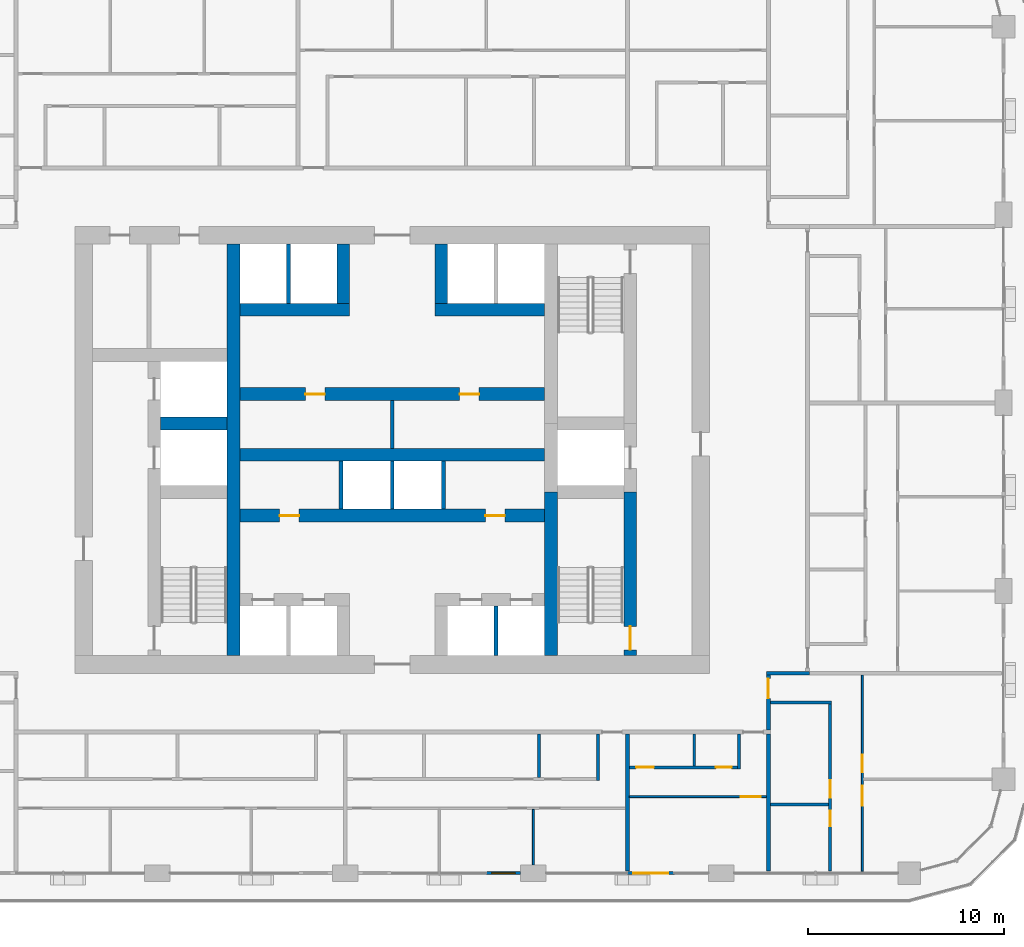
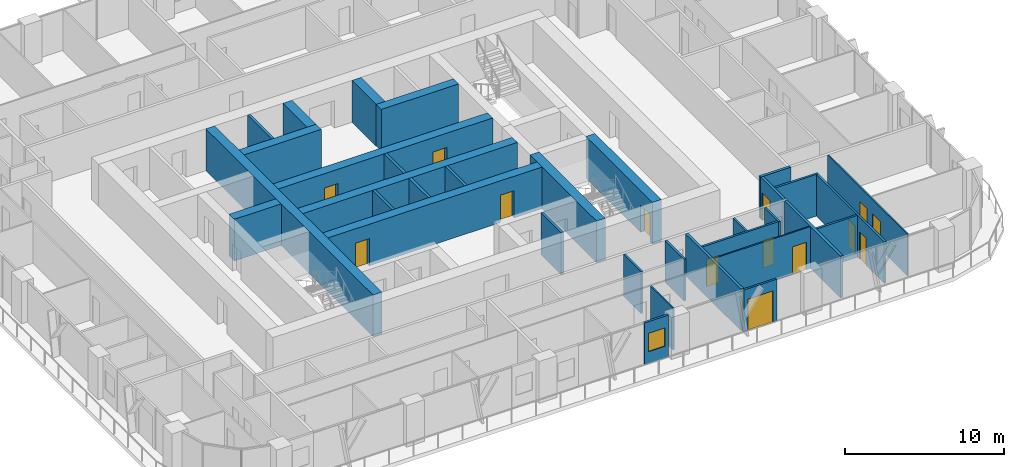
# One storey, part 11 of 21: 34 walls, 14 doors, 1 window, 15 openings.
"""IFC4 building model written with IfcOpenShell, lengths in metres."""

from ifc_helpers import new_model, si_unit, direction, frame, frame_2d, origin, place, context, subcontext, project, spatial, rectangle, extrude, material, layer, layer_set, type_object, element, fill, save


model = new_model("IFC4")

# Units and contexts
model_context = context("Model", 3, precision=1e-05, world=origin(), true_north=direction((0.0, 1.0)))
body_context = subcontext(model_context, "Body", "Model", "MODEL_VIEW")
ifc_project = project(units=[si_unit("LENGTHUNIT", "METRE"), si_unit("AREAUNIT", "SQUARE_METRE"), si_unit("VOLUMEUNIT", "CUBIC_METRE"), si_unit("PLANEANGLEUNIT", "RADIAN"), si_unit("MASSUNIT", "GRAM", prefix="KILO")], contexts=[model_context])

# Site, building, storey
site_placement = place(None, origin())
site = spatial("IfcSite", under=ifc_project, at=site_placement, CompositionType="ELEMENT")
building_placement = place(site_placement, origin())
building = spatial("IfcBuilding", under=site, at=building_placement, Name="Madar Terraces", CompositionType="ELEMENT")
storey_placement = place(building_placement, frame((0.0, 0.0, 96.199951171875)))
storey = spatial("IfcBuildingStorey", under=building, at=storey_placement, Name="L24", CompositionType="ELEMENT", Elevation=96.199951171875)

# Walls
ifc_material_1 = material(Name="Concrete C80/95", Category="concrete")
ifc_layer_1 = layer(ifc_material_1, 0.64990234375)
ifc_layer_set_1 = layer_set([ifc_layer_1], Name="Concrete C80/95 (CIW2 RC wall 650)")
wall_type_1 = type_object("IfcWallType", Name="CIW2 RC wall 650", PredefinedType="SHEAR", material=ifc_layer_set_1)
wall_1_placement = place(storey_placement, frame((23.10009765625, 15.89990234375, 0.0), z_axis=(0.0, 0.0, 1.0), x_axis=(0.0, 1.0, 0.0)))
element("IfcWall", 1, at=wall_1_placement, inside=storey, type_object=wall_type_1, Name="CORE SHAFT WALL", PredefinedType="SHEAR", context=body_context, shape_type="SweptSolid", body=[
    extrude(rectangle(XDim=21.0, YDim=0.64990234375, at=frame_2d((10.5, 0.0))), origin(), (0.0, 0.0, 1.0), 3.199951171875),
])
wall_2_placement = place(storey_placement, frame((39.300048828125, 15.89990234375, 0.0), z_axis=(0.0, 0.0, 1.0), x_axis=(0.0, 1.0, 0.0)))
element("IfcWall", 2, at=wall_2_placement, inside=storey, type_object=wall_type_1, Name="CORE SHAFT WALL", PredefinedType="SHEAR", context=body_context, shape_type="SweptSolid", body=[
    extrude(rectangle(XDim=8.35009765625, YDim=0.64990234375, at=frame_2d((4.175048828125, 0.0))), origin(), (0.0, 0.0, 1.0), 3.199951171875),
])

# Wall, opening, door
wall_3_placement = place(storey_placement, frame((43.35009765625, 15.89990234375, 0.0), z_axis=(0.0, 0.0, 1.0), x_axis=(0.0, 1.0, 0.0)))
wall_3 = element("IfcWall", 3, at=wall_3_placement, inside=storey, type_object=wall_type_1, Name="CORE SHAFT WALL", PredefinedType="SHEAR", context=body_context, shape_type="SweptSolid", body=[
    extrude(rectangle(XDim=8.35009765625, YDim=0.64990234375, at=frame_2d((4.175048828125, 0.0))), origin(), (0.0, 0.0, 1.0), 3.199951171875),
])
opening_1_placement = place(wall_3_placement, frame((0.300048828125, 0.0, 0.0)))
opening_1 = element("IfcOpeningElement", 4, at=opening_1_placement, cuts=wall_3, Name="Opening SD1", PredefinedType="OPENING", context=body_context, shape_type="SweptSolid", body=[
    extrude(rectangle(XDim=1.199951171875, YDim=2.10009765625, at=frame_2d((0.60009765625, 1.050048828125))), frame((0.0, 0.3349609375, 0.0), z_axis=(0.0, -1.0, 0.0), x_axis=(1.0, 0.0, 0.0)), (0.0, 0.0, 1.0), 0.669921875),
])
ifc_material_2 = material(Name="Steel door leaf", Category="steel")
door_type_1 = type_object("IfcDoorType", Name="Stair door 1200 x 2100", OperationType="NOTDEFINED", PredefinedType="DOOR", material=ifc_material_2)
door_1_placement = place(opening_1_placement, origin())
door_1 = element("IfcDoor", 5, at=door_1_placement, inside=storey, type_object=door_type_1, Name="STAIR DOOR", OperationType="SINGLE_SWING_LEFT", OverallHeight=2.10009765625, OverallWidth=1.199951171875, PredefinedType="DOOR", context=body_context, shape_type="SweptSolid", body=[
    extrude(rectangle(XDim=1.199951171875, YDim=2.10009765625, at=frame_2d((0.60009765625, 1.050048828125))), frame((0.0, 0.02490234375, 0.0), z_axis=(0.0, -1.0, 0.0), x_axis=(1.0, 0.0, 0.0)), (0.0, 0.0, 1.0), 0.050048828125),
])
fill(opening_1, door_1)

# Wall
wall_4_placement = place(storey_placement, frame((19.375, 27.75, 0.0), z_axis=(0.0, 0.0, 1.0), x_axis=(1.0, 0.0, 0.0)))
element("IfcWall", 6, at=wall_4_placement, inside=storey, type_object=wall_type_1, Name="CORE SHAFT WALL", PredefinedType="SHEAR", context=body_context, shape_type="SweptSolid", body=[
    extrude(rectangle(XDim=3.39990234375, YDim=0.64990234375, at=frame_2d((1.699951171875, 0.0))), origin(), (0.0, 0.0, 1.0), 3.199951171875),
])

# Wall, openings, doors
wall_5_placement = place(storey_placement, frame((23.425048828125, 23.050048828125, 0.0), z_axis=(0.0, 0.0, 1.0), x_axis=(1.0, 0.0, 0.0)))
wall_5 = element("IfcWall", 7, at=wall_5_placement, inside=storey, type_object=wall_type_1, Name="CORE SHAFT WALL", PredefinedType="SHEAR", context=body_context, shape_type="SweptSolid", body=[
    extrude(rectangle(XDim=15.550048828125, YDim=0.64990234375, at=frame_2d((7.77490234375, 0.0))), origin(), (0.0, 0.0, 1.0), 3.199951171875),
])
opening_2_placement = place(wall_5_placement, frame((2.02490234375, 0.0, 0.0)))
opening_2 = element("IfcOpeningElement", 8, at=opening_2_placement, cuts=wall_5, Name="Opening KD2", PredefinedType="OPENING", context=body_context, shape_type="SweptSolid", body=[
    extrude(rectangle(XDim=1.0, YDim=2.10009765625, at=frame_2d((0.5, 1.050048828125))), frame((0.0, 0.3349609375, 0.0), z_axis=(0.0, -1.0, 0.0), x_axis=(1.0, 0.0, 0.0)), (0.0, 0.0, 1.0), 0.669921875),
])
opening_3_placement = place(wall_5_placement, frame((12.52490234375, 0.0, 0.0)))
opening_3 = element("IfcOpeningElement", 9, at=opening_3_placement, cuts=wall_5, Name="Opening KD2", PredefinedType="OPENING", context=body_context, shape_type="SweptSolid", body=[
    extrude(rectangle(XDim=1.0, YDim=2.10009765625, at=frame_2d((0.5, 1.050048828125))), frame((0.0, 0.3349609375, 0.0), z_axis=(0.0, -1.0, 0.0), x_axis=(1.0, 0.0, 0.0)), (0.0, 0.0, 1.0), 0.669921875),
])
ifc_material_3 = material(Name="Steel door leaf", Category="steel")
door_type_2 = type_object("IfcDoorType", Name="Service room door 1000 x 2100", OperationType="NOTDEFINED", PredefinedType="DOOR", material=ifc_material_3)
door_2_placement = place(opening_2_placement, frame((1.0, 0.0, 0.0), z_axis=(0.0, 0.0, 1.0), x_axis=(-1.0, 0.0, 0.0)))
door_2 = element("IfcDoor", 10, at=door_2_placement, inside=storey, type_object=door_type_2, Name="SERVICE ROOM DOOR", OperationType="SINGLE_SWING_LEFT", OverallHeight=2.10009765625, OverallWidth=1.0, PredefinedType="DOOR", context=body_context, shape_type="SweptSolid", body=[
    extrude(rectangle(XDim=1.0, YDim=2.10009765625, at=frame_2d((0.5, 1.050048828125))), frame((0.0, 0.02490234375, 0.0), z_axis=(0.0, -1.0, 0.0), x_axis=(1.0, 0.0, 0.0)), (0.0, 0.0, 1.0), 0.050048828125),
])
fill(opening_2, door_2)
door_3_placement = place(opening_3_placement, frame((1.0, 0.0, 0.0), z_axis=(0.0, 0.0, 1.0), x_axis=(-1.0, 0.0, 0.0)))
door_3 = element("IfcDoor", 11, at=door_3_placement, inside=storey, type_object=door_type_2, Name="SERVICE ROOM DOOR", OperationType="SINGLE_SWING_RIGHT", OverallHeight=2.10009765625, OverallWidth=1.0, PredefinedType="DOOR", context=body_context, shape_type="SweptSolid", body=[
    extrude(rectangle(XDim=1.0, YDim=2.10009765625, at=frame_2d((0.5, 1.050048828125))), frame((0.0, 0.02490234375, 0.0), z_axis=(0.0, -1.0, 0.0), x_axis=(1.0, 0.0, 0.0)), (0.0, 0.0, 1.0), 0.050048828125),
])
fill(opening_3, door_3)

# Wall
wall_6_placement = place(storey_placement, frame((23.425048828125, 26.14990234375, 0.0), z_axis=(0.0, 0.0, 1.0), x_axis=(1.0, 0.0, 0.0)))
element("IfcWall", 12, at=wall_6_placement, inside=storey, type_object=wall_type_1, Name="CORE SHAFT WALL", PredefinedType="SHEAR", context=body_context, shape_type="SweptSolid", body=[
    extrude(rectangle(XDim=15.550048828125, YDim=0.64990234375, at=frame_2d((7.77490234375, 0.0))), origin(), (0.0, 0.0, 1.0), 3.199951171875),
])

# Wall, openings, doors
wall_7_placement = place(storey_placement, frame((23.425048828125, 29.25, 0.0), z_axis=(0.0, 0.0, 1.0), x_axis=(1.0, 0.0, 0.0)))
wall_7 = element("IfcWall", 13, at=wall_7_placement, inside=storey, type_object=wall_type_1, Name="CORE SHAFT WALL", PredefinedType="SHEAR", context=body_context, shape_type="SweptSolid", body=[
    extrude(rectangle(XDim=15.550048828125, YDim=0.64990234375, at=frame_2d((7.77490234375, 0.0))), origin(), (0.0, 0.0, 1.0), 3.199951171875),
])
opening_4_placement = place(wall_7_placement, frame((3.33740234375, 0.0, 0.0)))
opening_4 = element("IfcOpeningElement", 14, at=opening_4_placement, cuts=wall_7, Name="Opening KD2", PredefinedType="OPENING", context=body_context, shape_type="SweptSolid", body=[
    extrude(rectangle(XDim=1.0, YDim=2.10009765625, at=frame_2d((0.5, 1.050048828125))), frame((0.0, 0.3349609375, 0.0), z_axis=(0.0, -1.0, 0.0), x_axis=(1.0, 0.0, 0.0)), (0.0, 0.0, 1.0), 0.669921875),
])
opening_5_placement = place(wall_7_placement, frame((11.21240234375, 0.0, 0.0)))
opening_5 = element("IfcOpeningElement", 15, at=opening_5_placement, cuts=wall_7, Name="Opening KD2", PredefinedType="OPENING", context=body_context, shape_type="SweptSolid", body=[
    extrude(rectangle(XDim=1.0, YDim=2.10009765625, at=frame_2d((0.5, 1.050048828125))), frame((0.0, 0.3349609375, 0.0), z_axis=(0.0, -1.0, 0.0), x_axis=(1.0, 0.0, 0.0)), (0.0, 0.0, 1.0), 0.669921875),
])
door_4_placement = place(opening_4_placement, origin())
door_4 = element("IfcDoor", 16, at=door_4_placement, inside=storey, type_object=door_type_2, Name="SERVICE ROOM DOOR", OperationType="SINGLE_SWING_LEFT", OverallHeight=2.10009765625, OverallWidth=1.0, PredefinedType="DOOR", context=body_context, shape_type="SweptSolid", body=[
    extrude(rectangle(XDim=1.0, YDim=2.10009765625, at=frame_2d((0.5, 1.050048828125))), frame((0.0, 0.02490234375, 0.0), z_axis=(0.0, -1.0, 0.0), x_axis=(1.0, 0.0, 0.0)), (0.0, 0.0, 1.0), 0.050048828125),
])
fill(opening_4, door_4)
door_5_placement = place(opening_5_placement, origin())
door_5 = element("IfcDoor", 17, at=door_5_placement, inside=storey, type_object=door_type_2, Name="SERVICE ROOM DOOR", OperationType="SINGLE_SWING_RIGHT", OverallHeight=2.10009765625, OverallWidth=1.0, PredefinedType="DOOR", context=body_context, shape_type="SweptSolid", body=[
    extrude(rectangle(XDim=1.0, YDim=2.10009765625, at=frame_2d((0.5, 1.050048828125))), frame((0.0, 0.02490234375, 0.0), z_axis=(0.0, -1.0, 0.0), x_axis=(1.0, 0.0, 0.0)), (0.0, 0.0, 1.0), 0.050048828125),
])
fill(opening_5, door_5)

# Walls
wall_8_placement = place(storey_placement, frame((23.425048828125, 33.550048828125, 0.0), z_axis=(0.0, 0.0, 1.0), x_axis=(1.0, 0.0, 0.0)))
element("IfcWall", 18, at=wall_8_placement, inside=storey, type_object=wall_type_1, Name="CORE SHAFT WALL", PredefinedType="SHEAR", context=body_context, shape_type="SweptSolid", body=[
    extrude(rectangle(XDim=5.599853515625, YDim=0.64990234375, at=frame_2d((2.7998046875, 0.0))), origin(), (0.0, 0.0, 1.0), 3.199951171875),
])
wall_9_placement = place(storey_placement, frame((33.375, 33.550048828125, 0.0), z_axis=(0.0, 0.0, 1.0), x_axis=(1.0, 0.0, 0.0)))
element("IfcWall", 19, at=wall_9_placement, inside=storey, type_object=wall_type_1, Name="CORE SHAFT WALL", PredefinedType="SHEAR", context=body_context, shape_type="SweptSolid", body=[
    extrude(rectangle(XDim=5.60009765625, YDim=0.64990234375, at=frame_2d((2.800048828125, 0.0))), origin(), (0.0, 0.0, 1.0), 3.199951171875),
])
for number, where, z_axis, x_axis, name in (
    (20, (28.699951171875, 33.875, 0.0), (0.0, 0.0, 1.0), (0.0, 1.0, 0.0), "CORE SHAFT WALL"),
    (21, (33.699951171875, 33.875, 0.0), (0.0, 0.0, 1.0), (0.0, 1.0, 0.0), "CORE SHAFT WALL"),
):
    element("IfcWall", number, at=place(storey_placement, frame(where, z_axis=z_axis, x_axis=x_axis)), inside=storey, type_object=wall_type_1, Name=name, PredefinedType="SHEAR", context=body_context, shape_type="SweptSolid", body=[
        extrude(rectangle(XDim=3.02490234375, YDim=0.64990234375, at=frame_2d((1.512451171875, 0.0))), origin(), (0.0, 0.0, 1.0), 3.199951171875),
    ])
ifc_material_4 = material(Name="Masonry blockwork", Category="masonry")
ifc_layer_2 = layer(ifc_material_4, 0.199951171875)
ifc_layer_set_2 = layer_set([ifc_layer_2], Name="Core partition 200 blockwork")
wall_type_2 = type_object("IfcWallType", Name="Core partition 200 blockwork", PredefinedType="PARTITIONING", material=ifc_layer_set_2)
wall_10_placement = place(storey_placement, frame((31.199951171875, 26.47509765625, 0.0), z_axis=(0.0, 0.0, 1.0), x_axis=(0.0, 1.0, 0.0)))
element("IfcWall", 22, at=wall_10_placement, inside=storey, type_object=wall_type_2, Name="SERVICE ROOM PARTITION", PredefinedType="PARTITIONING", context=body_context, shape_type="SweptSolid", body=[
    extrude(rectangle(XDim=2.449951171875, YDim=0.199951171875, at=frame_2d((1.22509765625, 0.0))), origin(), (0.0, 0.0, 1.0), 3.199951171875),
])
ifc_material_5 = material(Name="Concrete C40/50", Category="concrete")
ifc_layer_3 = layer(ifc_material_5, 0.199951171875)
ifc_layer_set_3 = layer_set([ifc_layer_3], Name="Core shaft dividing wall 200 C40/50")
wall_type_3 = type_object("IfcWallType", Name="Core shaft dividing wall 200 C40/50", PredefinedType="SOLIDWALL", material=ifc_layer_set_3)
for number, where, z_axis, x_axis, name in (
    (23, (28.574951171875, 23.375, 0.0), (0.0, 0.0, 1.0), (0.0, 1.0, 0.0), "SHAFT DIVIDING WALL"),
    (24, (31.199951171875, 23.375, 0.0), (0.0, 0.0, 1.0), (0.0, 1.0, 0.0), "SHAFT DIVIDING WALL"),
    (25, (33.824951171875, 23.375, 0.0), (0.0, 0.0, 1.0), (0.0, 1.0, 0.0), "SHAFT DIVIDING WALL"),
):
    element("IfcWall", number, at=place(storey_placement, frame(where, z_axis=z_axis, x_axis=x_axis)), inside=storey, type_object=wall_type_3, Name=name, PredefinedType="SOLIDWALL", context=body_context, shape_type="SweptSolid", body=[
        extrude(rectangle(XDim=2.449951171875, YDim=0.199951171875, at=frame_2d((1.22509765625, 0.0))), origin(), (0.0, 0.0, 1.0), 3.199951171875),
    ])
wall_11_placement = place(storey_placement, frame((25.89990234375, 33.875, 0.0), z_axis=(0.0, 0.0, 1.0), x_axis=(0.0, 1.0, 0.0)))
element("IfcWall", 26, at=wall_11_placement, inside=storey, type_object=wall_type_3, Name="SHAFT DIVIDING WALL", PredefinedType="SOLIDWALL", context=body_context, shape_type="SweptSolid", body=[
    extrude(rectangle(XDim=3.02490234375, YDim=0.199951171875, at=frame_2d((1.512451171875, 0.0))), origin(), (0.0, 0.0, 1.0), 3.199951171875),
])
wall_12_placement = place(storey_placement, frame((36.5, 15.89990234375, 0.0), z_axis=(0.0, 0.0, 1.0), x_axis=(0.0, 1.0, 0.0)))
element("IfcWall", 27, at=wall_12_placement, inside=storey, type_object=wall_type_3, Name="SHAFT DIVIDING WALL", PredefinedType="SOLIDWALL", context=body_context, shape_type="SweptSolid", body=[
    extrude(rectangle(XDim=2.525146484375, YDim=0.199951171875, at=frame_2d((1.2626953125, 0.0))), origin(), (0.0, 0.0, 1.0), 3.199951171875),
])

# Wall, opening, window
ifc_material_6 = material(Name="Aluminium composite panel, black, over insulated backing", Category="aluminium")
ifc_layer_4 = layer(ifc_material_6, 0.14990234375)
ifc_layer_set_4 = layer_set([ifc_layer_4], Name="Facade bay panel 150")
wall_type_4 = type_object("IfcWallType", Name="Facade bay panel 150", PredefinedType="SOLIDWALL", material=ifc_layer_set_4)
wall_13_placement = place(storey_placement, frame((36.0, 4.800048828125, 0.0), z_axis=(0.0, 0.0, 1.0), x_axis=(1.0, 0.0, 0.0)))
wall_13 = element("IfcWall", 28, at=wall_13_placement, inside=storey, type_object=wall_type_4, Name="Facade bay panel", PredefinedType="SOLIDWALL", context=body_context, shape_type="SweptSolid", body=[
    extrude(rectangle(XDim=1.75, YDim=0.14990234375, at=frame_2d((0.875, 0.0))), origin(), (0.0, 0.0, 1.0), 3.199951171875),
])
opening_6_placement = place(wall_13_placement, frame((0.27490234375, 0.0, 0.89990234375)))
opening_6 = element("IfcOpeningElement", 29, at=opening_6_placement, cuts=wall_13, Name="Opening W1", PredefinedType="OPENING", context=body_context, shape_type="SweptSolid", body=[
    extrude(rectangle(XDim=1.199951171875, YDim=1.39990234375, at=frame_2d((0.60009765625, 0.699951171875))), frame((0.0, 0.0849609375, 0.0), z_axis=(0.0, -1.0, 0.0), x_axis=(1.0, 0.0, 0.0)), (0.0, 0.0, 1.0), 0.169921875),
])
ifc_material_7 = material(Name="Glass, clear, with black aluminium frame", Category="aluminium")
window_type = type_object("IfcWindowType", Name="Vent window 1200 x 1400", PartitioningType="SINGLE_PANEL", PredefinedType="WINDOW", material=ifc_material_7)
window_placement = place(opening_6_placement, origin())
window = element("IfcWindow", 30, at=window_placement, inside=storey, type_object=window_type, Name="Operable vent window", OverallHeight=1.39990234375, OverallWidth=1.199951171875, PartitioningType="SINGLE_PANEL", PredefinedType="WINDOW", context=body_context, shape_type="SweptSolid", body=[
    extrude(rectangle(XDim=1.199951171875, YDim=1.39990234375, at=frame_2d((0.60009765625, 0.699951171875))), frame((0.0, 0.030029296875, 0.0), z_axis=(0.0, -1.0, 0.0), x_axis=(1.0, 0.0, 0.0)), (0.0, 0.0, 1.0), 0.06005859375),
])
fill(opening_6, window)

# Wall, opening, door
wall_14_placement = place(storey_placement, frame((43.199951171875, 4.800048828125, 0.0), z_axis=(0.0, 0.0, 1.0), x_axis=(1.0, 0.0, 0.0)))
wall_14 = element("IfcWall", 31, at=wall_14_placement, inside=storey, type_object=wall_type_4, Name="Facade bay panel", PredefinedType="SOLIDWALL", context=body_context, shape_type="SweptSolid", body=[
    extrude(rectangle(XDim=2.400146484375, YDim=0.14990234375, at=frame_2d((1.2001953125, 0.0))), origin(), (0.0, 0.0, 1.0), 3.199951171875),
])
opening_7_placement = place(wall_14_placement, frame((0.300048828125, 0.0, 0.0)))
opening_7 = element("IfcOpeningElement", 32, at=opening_7_placement, cuts=wall_14, Name="Opening ED1", PredefinedType="OPENING", context=body_context, shape_type="SweptSolid", body=[
    extrude(rectangle(XDim=1.800048828125, YDim=2.39990234375, at=frame_2d((0.89990234375, 1.199951171875))), frame((0.0, 0.0849609375, 0.0), z_axis=(0.0, -1.0, 0.0), x_axis=(1.0, 0.0, 0.0)), (0.0, 0.0, 1.0), 0.169921875),
])
ifc_material_8 = material(Name="Glass, clear, with black aluminium frame", Category="aluminium")
door_type_3 = type_object("IfcDoorType", Name="Balcony and terrace sliding door 1800 x 2400", OperationType="SLIDING_TO_LEFT", PredefinedType="DOOR", material=ifc_material_8)
door_6_placement = place(opening_7_placement, origin())
door_6 = element("IfcDoor", 33, at=door_6_placement, inside=storey, type_object=door_type_3, Name="Balcony door", OperationType="SLIDING_TO_LEFT", OverallHeight=2.39990234375, OverallWidth=1.800048828125, PredefinedType="DOOR", context=body_context, shape_type="SweptSolid", body=[
    extrude(rectangle(XDim=1.800048828125, YDim=2.39990234375, at=frame_2d((0.89990234375, 1.199951171875))), frame((0.0, 0.02490234375, 0.0), z_axis=(0.0, -1.0, 0.0), x_axis=(1.0, 0.0, 0.0)), (0.0, 0.0, 1.0), 0.050048828125),
])
fill(opening_7, door_6)

# Wall
ifc_material_9 = material(Name="Gypsum board on steel studs", Category="steel")
ifc_layer_5 = layer(ifc_material_9, 0.10009765625)
ifc_layer_set_5 = layer_set([ifc_layer_5], Name="Flat partition 100")
wall_type_5 = type_object("IfcWallType", Name="Flat partition 100", PredefinedType="PARTITIONING", material=ifc_layer_set_5)
wall_15_placement = place(storey_placement, frame((38.39990234375, 8.050048828125, 0.0), z_axis=(0.0, 0.0, 1.0), x_axis=(0.0, -1.0, 0.0)))
element("IfcWall", 34, at=wall_15_placement, inside=storey, type_object=wall_type_5, Name="Flat partition 100", PredefinedType="PARTITIONING", context=body_context, shape_type="SweptSolid", body=[
    extrude(rectangle(XDim=2.824951171875, YDim=0.10009765625, at=frame_2d((1.41259765625, 0.0))), origin(), (0.0, 0.0, 1.0), 3.199951171875),
])

# Wall, opening, door
wall_16_placement = place(storey_placement, frame((50.300048828125, 8.699951171875, 0.0), z_axis=(0.0, 0.0, 1.0), x_axis=(-1.0, 0.0, 0.0)))
wall_16 = element("IfcWall", 35, at=wall_16_placement, inside=storey, type_object=wall_type_5, Name="Flat partition 100", PredefinedType="PARTITIONING", context=body_context, shape_type="SweptSolid", body=[
    extrude(rectangle(XDim=7.0, YDim=0.10009765625, at=frame_2d((3.5, 0.0))), origin(), (0.0, 0.0, 1.0), 3.199951171875),
])
opening_8_placement = place(wall_16_placement, frame((0.300048828125, 0.0, 0.0)))
opening_8 = element("IfcOpeningElement", 36, at=opening_8_placement, cuts=wall_16, Name="Opening D3", PredefinedType="OPENING", context=body_context, shape_type="SweptSolid", body=[
    extrude(rectangle(XDim=1.0, YDim=2.10009765625, at=frame_2d((0.5, 1.050048828125))), frame((0.0, 0.06005859375, 0.0), z_axis=(0.0, -1.0, 0.0), x_axis=(1.0, 0.0, 0.0)), (0.0, 0.0, 1.0), 0.1201171875),
])
ifc_material_10 = material(Name="Timber door leaf", Category="wood")
door_type_4 = type_object("IfcDoorType", Name="Flat living room door 1000", OperationType="NOTDEFINED", PredefinedType="DOOR", material=ifc_material_10)
door_7_placement = place(opening_8_placement, origin())
door_7 = element("IfcDoor", 37, at=door_7_placement, inside=storey, type_object=door_type_4, Name="Flat living room door 1000", OperationType="SINGLE_SWING_LEFT", OverallHeight=2.10009765625, OverallWidth=1.0, PredefinedType="DOOR", context=body_context, shape_type="SweptSolid", body=[
    extrude(rectangle(XDim=1.0, YDim=2.10009765625, at=frame_2d((0.5, 1.050048828125))), frame((0.0, 0.02490234375, 0.0), z_axis=(0.0, -1.0, 0.0), x_axis=(1.0, 0.0, 0.0)), (0.0, 0.0, 1.0), 0.050048828125),
])
fill(opening_8, door_7)

# Wall, openings, doors
wall_17_placement = place(storey_placement, frame((55.199951171875, 14.89990234375, 0.0), z_axis=(0.0, 0.0, 1.0), x_axis=(0.0, -1.0, 0.0)))
wall_17 = element("IfcWall", 38, at=wall_17_placement, inside=storey, type_object=wall_type_5, Name="Flat partition 100", PredefinedType="PARTITIONING", context=body_context, shape_type="SweptSolid", body=[
    extrude(rectangle(XDim=10.0, YDim=0.10009765625, at=frame_2d((5.0, 0.0))), origin(), (0.0, 0.0, 1.0), 3.199951171875),
])
opening_9_placement = place(wall_17_placement, frame((4.050048828125, 0.0, 0.0)))
opening_9 = element("IfcOpeningElement", 39, at=opening_9_placement, cuts=wall_17, Name="Opening D2", PredefinedType="OPENING", context=body_context, shape_type="SweptSolid", body=[
    extrude(rectangle(XDim=0.89990234375, YDim=2.10009765625, at=frame_2d((0.449951171875, 1.050048828125))), frame((0.0, 0.06005859375, 0.0), z_axis=(0.0, -1.0, 0.0), x_axis=(1.0, 0.0, 0.0)), (0.0, 0.0, 1.0), 0.1201171875),
])
opening_10_placement = place(wall_17_placement, frame((5.64990234375, 0.0, 0.0)))
opening_10 = element("IfcOpeningElement", 40, at=opening_10_placement, cuts=wall_17, Name="Opening D3", PredefinedType="OPENING", context=body_context, shape_type="SweptSolid", body=[
    extrude(rectangle(XDim=1.0, YDim=2.10009765625, at=frame_2d((0.5, 1.050048828125))), frame((0.0, 0.06005859375, 0.0), z_axis=(0.0, -1.0, 0.0), x_axis=(1.0, 0.0, 0.0)), (0.0, 0.0, 1.0), 0.1201171875),
])
door_8_placement = place(opening_10_placement, origin())
door_8 = element("IfcDoor", 41, at=door_8_placement, inside=storey, type_object=door_type_4, Name="Flat living room door 1000", OperationType="SINGLE_SWING_LEFT", OverallHeight=2.10009765625, OverallWidth=1.0, PredefinedType="DOOR", context=body_context, shape_type="SweptSolid", body=[
    extrude(rectangle(XDim=1.0, YDim=2.10009765625, at=frame_2d((0.5, 1.050048828125))), frame((0.0, 0.02490234375, 0.0), z_axis=(0.0, -1.0, 0.0), x_axis=(1.0, 0.0, 0.0)), (0.0, 0.0, 1.0), 0.050048828125),
])
fill(opening_10, door_8)
ifc_material_11 = material(Name="Timber door leaf", Category="wood")
door_type_5 = type_object("IfcDoorType", Name="Flat room door 900", OperationType="NOTDEFINED", PredefinedType="DOOR", material=ifc_material_11)
door_9_placement = place(opening_9_placement, origin())
door_9 = element("IfcDoor", 42, at=door_9_placement, inside=storey, type_object=door_type_5, Name="Flat room door 900", OperationType="SINGLE_SWING_RIGHT", OverallHeight=2.10009765625, OverallWidth=0.89990234375, PredefinedType="DOOR", context=body_context, shape_type="SweptSolid", body=[
    extrude(rectangle(XDim=0.89990234375, YDim=2.10009765625, at=frame_2d((0.449951171875, 1.050048828125))), frame((0.0, 0.02490234375, 0.0), z_axis=(0.0, -1.0, 0.0), x_axis=(1.0, 0.0, 0.0)), (0.0, 0.0, 1.0), 0.050048828125),
])
fill(opening_9, door_9)

# Wall, opening, door
ifc_material_12 = material(Name="Lightweight blockwork", Category="masonry")
ifc_layer_6 = layer(ifc_material_12, 0.199951171875)
ifc_layer_set_6 = layer_set([ifc_layer_6], Name="Flat party and entrance wall 200")
wall_type_6 = type_object("IfcWallType", Name="Flat party and entrance wall 200", PredefinedType="PARTITIONING", material=ifc_layer_set_6)
wall_18_placement = place(storey_placement, frame((50.39990234375, 14.89990234375, 0.0), z_axis=(0.0, 0.0, 1.0), x_axis=(0.0, -1.0, 0.0)))
wall_18 = element("IfcWall", 43, at=wall_18_placement, inside=storey, type_object=wall_type_6, Name="Flat party and entrance wall 200", PredefinedType="PARTITIONING", context=body_context, shape_type="SweptSolid", body=[
    extrude(rectangle(XDim=2.7998046875, YDim=0.199951171875, at=frame_2d((1.39990234375, 0.0))), origin(), (0.0, 0.0, 1.0), 3.199951171875),
])
opening_11_placement = place(wall_18_placement, frame((0.175048828125, 0.0, 0.0)))
opening_11 = element("IfcOpeningElement", 44, at=opening_11_placement, cuts=wall_18, Name="Opening D1", PredefinedType="OPENING", context=body_context, shape_type="SweptSolid", body=[
    extrude(rectangle(XDim=1.0, YDim=2.10009765625, at=frame_2d((0.5, 1.050048828125))), frame((0.0, 0.10986328125, 0.0), z_axis=(0.0, -1.0, 0.0), x_axis=(1.0, 0.0, 0.0)), (0.0, 0.0, 1.0), 0.219970703125),
])
ifc_material_13 = material(Name="Timber fire door leaf", Category="wood")
door_type_6 = type_object("IfcDoorType", Name="Flat entrance door 1000 FD30S", OperationType="NOTDEFINED", PredefinedType="DOOR", material=ifc_material_13)
door_10_placement = place(opening_11_placement, origin())
door_10 = element("IfcDoor", 45, at=door_10_placement, inside=storey, type_object=door_type_6, Name="Flat entrance door 1000 FD30S", OperationType="SINGLE_SWING_LEFT", OverallHeight=2.10009765625, OverallWidth=1.0, PredefinedType="DOOR", context=body_context, shape_type="SweptSolid", body=[
    extrude(rectangle(XDim=1.0, YDim=2.10009765625, at=frame_2d((0.5, 1.050048828125))), frame((0.0, 0.02490234375, 0.0), z_axis=(0.0, -1.0, 0.0), x_axis=(1.0, 0.0, 0.0)), (0.0, 0.0, 1.0), 0.050048828125),
])
fill(opening_11, door_10)

# Walls
wall_19_placement = place(storey_placement, frame((50.300048828125, 15.0, 0.0), z_axis=(0.0, 0.0, 1.0), x_axis=(1.0, 0.0, 0.0)))
element("IfcWall", 46, at=wall_19_placement, inside=storey, type_object=wall_type_6, Name="Flat party and entrance wall 200", PredefinedType="PARTITIONING", context=body_context, shape_type="SweptSolid", body=[
    extrude(rectangle(XDim=2.199951171875, YDim=0.199951171875, at=frame_2d((1.10009765625, 0.0))), origin(), (0.0, 0.0, 1.0), 3.199951171875),
])
for number, where, z_axis, x_axis, name in (
    (47, (43.199951171875, 11.89990234375, 0.0), (0.0, 0.0, 1.0), (0.0, -1.0, 0.0), "Flat party and entrance wall 200"),
    (48, (50.39990234375, 11.89990234375, 0.0), (0.0, 0.0, 1.0), (0.0, -1.0, 0.0), "Flat party and entrance wall 200"),
):
    element("IfcWall", number, at=place(storey_placement, frame(where, z_axis=z_axis, x_axis=x_axis)), inside=storey, type_object=wall_type_6, Name=name, PredefinedType="PARTITIONING", context=body_context, shape_type="SweptSolid", body=[
        extrude(rectangle(XDim=7.0, YDim=0.199951171875, at=frame_2d((3.5, 0.0))), origin(), (0.0, 0.0, 1.0), 3.199951171875),
    ])
ifc_material_14 = material(Name="Lightweight blockwork", Category="masonry")
ifc_layer_7 = layer(ifc_material_14, 0.14990234375)
ifc_layer_set_7 = layer_set([ifc_layer_7], Name="Flat wet-room partition 150")
wall_type_7 = type_object("IfcWallType", Name="Flat wet-room partition 150", PredefinedType="PARTITIONING", material=ifc_layer_set_7)
wall_20_placement = place(storey_placement, frame((38.6884765625, 11.89990234375, 0.0), z_axis=(0.0, 0.0, 1.0), x_axis=(0.0, -1.0, 0.0)))
element("IfcWall", 49, at=wall_20_placement, inside=storey, type_object=wall_type_7, Name="Flat wet-room partition 150", PredefinedType="PARTITIONING", context=body_context, shape_type="SweptSolid", body=[
    extrude(rectangle(XDim=2.224853515625, YDim=0.14990234375, at=frame_2d((1.1123046875, 0.0))), origin(), (0.0, 0.0, 1.0), 3.199951171875),
])
wall_21_placement = place(storey_placement, frame((41.699951171875, 11.89990234375, 0.0), z_axis=(0.0, 0.0, 1.0), x_axis=(0.0, -1.0, 0.0)))
element("IfcWall", 50, at=wall_21_placement, inside=storey, type_object=wall_type_7, Name="Flat wet-room partition 150", PredefinedType="PARTITIONING", context=body_context, shape_type="SweptSolid", body=[
    extrude(rectangle(XDim=2.375, YDim=0.14990234375, at=frame_2d((1.1875, 0.0))), origin(), (0.0, 0.0, 1.0), 3.199951171875),
])
wall_22_placement = place(storey_placement, frame((46.614990234375, 11.89990234375, 0.0), z_axis=(0.0, 0.0, 1.0), x_axis=(0.0, -1.0, 0.0)))
element("IfcWall", 51, at=wall_22_placement, inside=storey, type_object=wall_type_7, Name="Flat wet-room partition 150", PredefinedType="PARTITIONING", context=body_context, shape_type="SweptSolid", body=[
    extrude(rectangle(XDim=1.625, YDim=0.14990234375, at=frame_2d((0.8125, 0.0))), origin(), (0.0, 0.0, 1.0), 3.199951171875),
])
wall_23_placement = place(storey_placement, frame((48.89990234375, 11.89990234375, 0.0), z_axis=(0.0, 0.0, 1.0), x_axis=(0.0, -1.0, 0.0)))
element("IfcWall", 52, at=wall_23_placement, inside=storey, type_object=wall_type_7, Name="Flat wet-room partition 150", PredefinedType="PARTITIONING", context=body_context, shape_type="SweptSolid", body=[
    extrude(rectangle(XDim=1.77490234375, YDim=0.14990234375, at=frame_2d((0.887451171875, 0.0))), origin(), (0.0, 0.0, 1.0), 3.199951171875),
])

# Wall, openings, doors
wall_24_placement = place(storey_placement, frame((43.300048828125, 10.199951171875, 0.0), z_axis=(0.0, 0.0, 1.0), x_axis=(1.0, 0.0, 0.0)))
wall_24 = element("IfcWall", 53, at=wall_24_placement, inside=storey, type_object=wall_type_7, Name="Flat wet-room partition 150", PredefinedType="PARTITIONING", context=body_context, shape_type="SweptSolid", body=[
    extrude(rectangle(XDim=5.52490234375, YDim=0.14990234375, at=frame_2d((2.762451171875, 0.0))), origin(), (0.0, 0.0, 1.0), 3.199951171875),
])
opening_12_placement = place(wall_24_placement, frame((4.425048828125, 0.0, 0.0)))
opening_12 = element("IfcOpeningElement", 54, at=opening_12_placement, cuts=wall_24, Name="Opening D4", PredefinedType="OPENING", context=body_context, shape_type="SweptSolid", body=[
    extrude(rectangle(XDim=0.800048828125, YDim=2.10009765625, at=frame_2d((0.39990234375, 1.050048828125))), frame((0.0, 0.0849609375, 0.0), z_axis=(0.0, -1.0, 0.0), x_axis=(1.0, 0.0, 0.0)), (0.0, 0.0, 1.0), 0.169921875),
])
opening_13_placement = place(wall_24_placement, frame((0.35009765625, 0.0, 0.0)))
opening_13 = element("IfcOpeningElement", 55, at=opening_13_placement, cuts=wall_24, Name="Opening D2", PredefinedType="OPENING", context=body_context, shape_type="SweptSolid", body=[
    extrude(rectangle(XDim=0.89990234375, YDim=2.10009765625, at=frame_2d((0.449951171875, 1.050048828125))), frame((0.0, 0.0849609375, 0.0), z_axis=(0.0, -1.0, 0.0), x_axis=(1.0, 0.0, 0.0)), (0.0, 0.0, 1.0), 0.169921875),
])
ifc_material_15 = material(Name="Timber door leaf", Category="wood")
door_type_7 = type_object("IfcDoorType", Name="Flat bathroom door 800", OperationType="NOTDEFINED", PredefinedType="DOOR", material=ifc_material_15)
door_11_placement = place(opening_12_placement, origin())
door_11 = element("IfcDoor", 56, at=door_11_placement, inside=storey, type_object=door_type_7, Name="Flat bathroom door 800", OperationType="SINGLE_SWING_RIGHT", OverallHeight=2.10009765625, OverallWidth=0.800048828125, PredefinedType="DOOR", context=body_context, shape_type="SweptSolid", body=[
    extrude(rectangle(XDim=0.800048828125, YDim=2.10009765625, at=frame_2d((0.39990234375, 1.050048828125))), frame((0.0, 0.02490234375, 0.0), z_axis=(0.0, -1.0, 0.0), x_axis=(1.0, 0.0, 0.0)), (0.0, 0.0, 1.0), 0.050048828125),
])
fill(opening_12, door_11)
door_12_placement = place(opening_13_placement, origin())
door_12 = element("IfcDoor", 57, at=door_12_placement, inside=storey, type_object=door_type_5, Name="Flat room door 900", OperationType="SINGLE_SWING_LEFT", OverallHeight=2.10009765625, OverallWidth=0.89990234375, PredefinedType="DOOR", context=body_context, shape_type="SweptSolid", body=[
    extrude(rectangle(XDim=0.89990234375, YDim=2.10009765625, at=frame_2d((0.449951171875, 1.050048828125))), frame((0.0, 0.02490234375, 0.0), z_axis=(0.0, -1.0, 0.0), x_axis=(1.0, 0.0, 0.0)), (0.0, 0.0, 1.0), 0.050048828125),
])
fill(opening_13, door_12)

# Walls
wall_25_placement = place(storey_placement, frame((50.5, 8.31005859375, 0.0), z_axis=(0.0, 0.0, 1.0), x_axis=(1.0, 0.0, 0.0)))
element("IfcWall", 58, at=wall_25_placement, inside=storey, type_object=wall_type_7, Name="Flat wet-room partition 150", PredefinedType="PARTITIONING", context=body_context, shape_type="SweptSolid", body=[
    extrude(rectangle(XDim=2.97509765625, YDim=0.14990234375, at=frame_2d((1.487548828125, 0.0))), origin(), (0.0, 0.0, 1.0), 3.199951171875),
])
wall_26_placement = place(storey_placement, frame((50.5, 13.5, 0.0), z_axis=(0.0, 0.0, 1.0), x_axis=(1.0, 0.0, 0.0)))
element("IfcWall", 59, at=wall_26_placement, inside=storey, type_object=wall_type_7, Name="Flat wet-room partition 150", PredefinedType="PARTITIONING", context=body_context, shape_type="SweptSolid", body=[
    extrude(rectangle(XDim=3.125, YDim=0.14990234375, at=frame_2d((1.5625, 0.0))), origin(), (0.0, 0.0, 1.0), 3.199951171875),
])

# Wall, openings, doors
wall_27_placement = place(storey_placement, frame((53.550048828125, 4.89990234375, 0.0), z_axis=(0.0, 0.0, 1.0), x_axis=(0.0, 1.0, 0.0)))
wall_27 = element("IfcWall", 60, at=wall_27_placement, inside=storey, type_object=wall_type_7, Name="Flat wet-room partition 150", PredefinedType="PARTITIONING", context=body_context, shape_type="SweptSolid", body=[
    extrude(rectangle(XDim=8.525146484375, YDim=0.14990234375, at=frame_2d((4.2626953125, 0.0))), origin(), (0.0, 0.0, 1.0), 3.199951171875),
])
opening_14_placement = place(wall_27_placement, frame((3.735107421875, 0.0, 0.0)))
opening_14 = element("IfcOpeningElement", 61, at=opening_14_placement, cuts=wall_27, Name="Opening D2", PredefinedType="OPENING", context=body_context, shape_type="SweptSolid", body=[
    extrude(rectangle(XDim=0.89990234375, YDim=2.10009765625, at=frame_2d((0.449951171875, 1.050048828125))), frame((0.0, 0.0849609375, 0.0), z_axis=(0.0, -1.0, 0.0), x_axis=(1.0, 0.0, 0.0)), (0.0, 0.0, 1.0), 0.169921875),
])
opening_15_placement = place(wall_27_placement, frame((2.284912109375, 0.0, 0.0)))
opening_15 = element("IfcOpeningElement", 62, at=opening_15_placement, cuts=wall_27, Name="Opening D4", PredefinedType="OPENING", context=body_context, shape_type="SweptSolid", body=[
    extrude(rectangle(XDim=0.800048828125, YDim=2.10009765625, at=frame_2d((0.39990234375, 1.050048828125))), frame((0.0, 0.0849609375, 0.0), z_axis=(0.0, -1.0, 0.0), x_axis=(1.0, 0.0, 0.0)), (0.0, 0.0, 1.0), 0.169921875),
])
door_13_placement = place(opening_15_placement, origin())
door_13 = element("IfcDoor", 63, at=door_13_placement, inside=storey, type_object=door_type_7, Name="Flat bathroom door 800", OperationType="SINGLE_SWING_RIGHT", OverallHeight=2.10009765625, OverallWidth=0.800048828125, PredefinedType="DOOR", context=body_context, shape_type="SweptSolid", body=[
    extrude(rectangle(XDim=0.800048828125, YDim=2.10009765625, at=frame_2d((0.39990234375, 1.050048828125))), frame((0.0, 0.02490234375, 0.0), z_axis=(0.0, -1.0, 0.0), x_axis=(1.0, 0.0, 0.0)), (0.0, 0.0, 1.0), 0.050048828125),
])
fill(opening_15, door_13)
door_14_placement = place(opening_14_placement, origin())
door_14 = element("IfcDoor", 64, at=door_14_placement, inside=storey, type_object=door_type_5, Name="Flat room door 900", OperationType="SINGLE_SWING_LEFT", OverallHeight=2.10009765625, OverallWidth=0.89990234375, PredefinedType="DOOR", context=body_context, shape_type="SweptSolid", body=[
    extrude(rectangle(XDim=0.89990234375, YDim=2.10009765625, at=frame_2d((0.449951171875, 1.050048828125))), frame((0.0, 0.02490234375, 0.0), z_axis=(0.0, -1.0, 0.0), x_axis=(1.0, 0.0, 0.0)), (0.0, 0.0, 1.0), 0.050048828125),
])
fill(opening_14, door_14)

save(model, "model.ifc")
